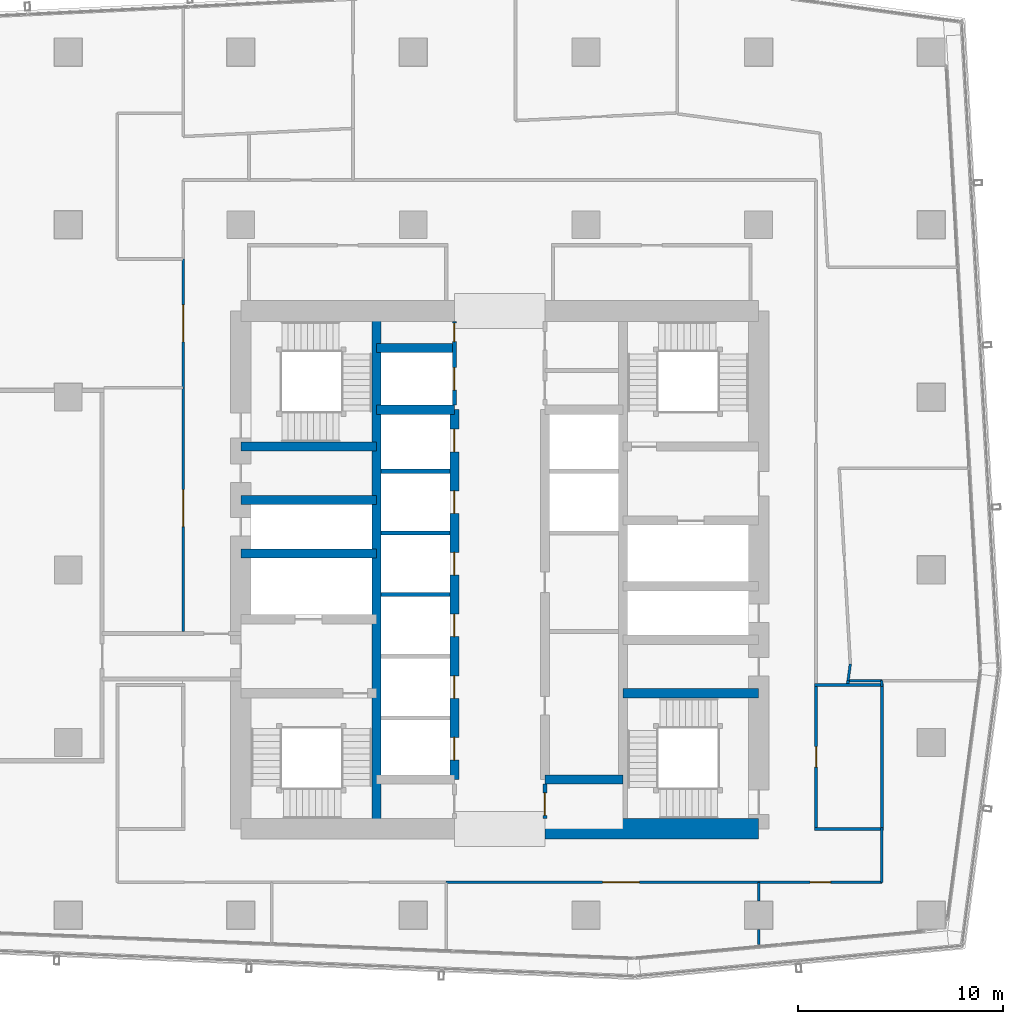
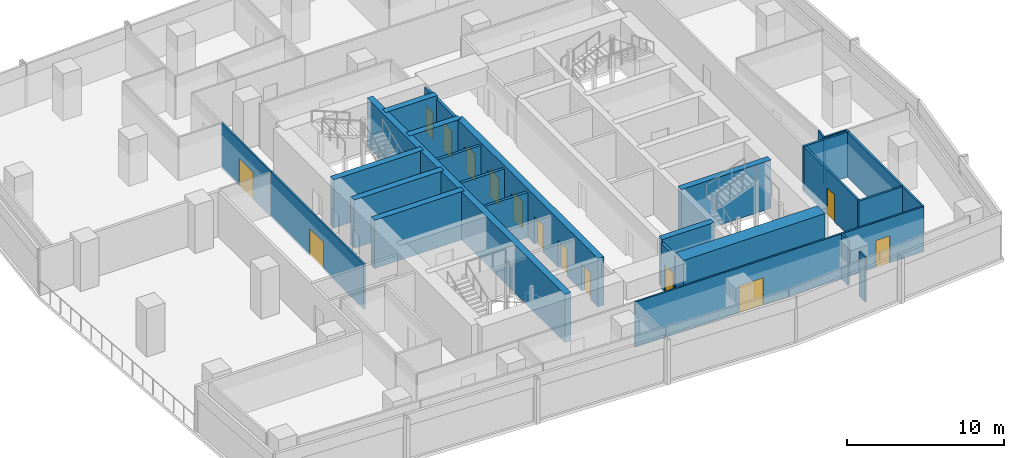
# One storey, part 27 of 39: 30 walls, 14 doors, 14 openings.
"""IFC4 building model written with IfcOpenShell, lengths in metres."""

from ifc_helpers import new_model, si_unit, direction, frame, frame_2d, origin, place, context, subcontext, project, spatial, rectangle, extrude, material, layer, layer_set, type_object, element, fill, save


model = new_model("IFC4")

# Units and contexts
model_context = context("Model", 3, precision=1e-05, world=origin(), true_north=direction((0.0, 1.0)))
body_context = subcontext(model_context, "Body", "Model", "MODEL_VIEW")
ifc_project = project(units=[si_unit("LENGTHUNIT", "METRE"), si_unit("AREAUNIT", "SQUARE_METRE"), si_unit("VOLUMEUNIT", "CUBIC_METRE"), si_unit("PLANEANGLEUNIT", "RADIAN"), si_unit("MASSUNIT", "GRAM", prefix="KILO")], contexts=[model_context])

# Site, building, storey
site_placement = place(None, origin())
site = spatial("IfcSite", under=ifc_project, at=site_placement, CompositionType="ELEMENT")
building_placement = place(site_placement, origin())
building = spatial("IfcBuilding", under=site, at=building_placement, Name="Rekha Terrace Tower", CompositionType="ELEMENT")
storey_placement = place(building_placement, frame((0.0, 0.0, 221.449951171875)))
storey = spatial("IfcBuildingStorey", under=building, at=storey_placement, Name="L56", CompositionType="ELEMENT", Elevation=221.449951171875)

# Wall
ifc_material_1 = material(Name="Concrete M60", Category="concrete")
ifc_layer_1 = layer(ifc_material_1, 0.449951171875)
ifc_layer_set_1 = layer_set([ifc_layer_1], Name="Concrete M60")
wall_type_1 = type_object("IfcWallType", Name="CI3 450 core internal shear wall", PredefinedType="SHEAR", material=ifc_layer_set_1)
wall_1_placement = place(storey_placement, frame((31.800048828125, 21.0, 0.0), z_axis=(0.0, 0.0, 1.0), x_axis=(0.0, 1.0, 0.0)))
element("IfcWall", 1, at=wall_1_placement, inside=storey, type_object=wall_type_1, Name="Core wall X318 L56", PredefinedType="SHEAR", context=body_context, shape_type="SweptSolid", body=[
    extrude(rectangle(XDim=25.199951171875, YDim=0.449951171875, at=frame_2d((12.60009765625, 0.0))), origin(), (0.0, 0.0, 1.0), 3.75),
])

# Wall, openings, doors
wall_2_placement = place(storey_placement, frame((35.60009765625, 23.39990234375, 0.0), z_axis=(0.0, 0.0, 1.0), x_axis=(0.0, 1.0, 0.0)))
wall_2 = element("IfcWall", 2, at=wall_2_placement, inside=storey, type_object=wall_type_1, Name="Core wall X356 L56", PredefinedType="SHEAR", context=body_context, shape_type="SweptSolid", body=[
    extrude(rectangle(XDim=18.0, YDim=0.449951171875, at=frame_2d((9.0, 0.0))), origin(), (0.0, 0.0, 1.0), 3.75),
])
opening_1_placement = place(wall_2_placement, frame((0.949951171875, 0.0, 0.0)))
opening_1 = element("IfcOpeningElement", 3, at=opening_1_placement, cuts=wall_2, Name="Opening LD1", PredefinedType="OPENING", context=body_context, shape_type="SweptSolid", body=[
    extrude(rectangle(XDim=1.10009765625, YDim=2.10009765625, at=frame_2d((0.550048828125, 1.050048828125))), frame((0.0, 0.23486328125, 0.0), z_axis=(0.0, -1.0, 0.0), x_axis=(1.0, 0.0, 0.0)), (0.0, 0.0, 1.0), 0.469970703125),
])
opening_2_placement = place(wall_2_placement, frame((3.949951171875, 0.0, 0.0)))
opening_2 = element("IfcOpeningElement", 4, at=opening_2_placement, cuts=wall_2, Name="Opening LD1", PredefinedType="OPENING", context=body_context, shape_type="SweptSolid", body=[
    extrude(rectangle(XDim=1.10009765625, YDim=2.10009765625, at=frame_2d((0.550048828125, 1.050048828125))), frame((0.0, 0.23486328125, 0.0), z_axis=(0.0, -1.0, 0.0), x_axis=(1.0, 0.0, 0.0)), (0.0, 0.0, 1.0), 0.469970703125),
])
opening_3_placement = place(wall_2_placement, frame((6.949951171875, 0.0, 0.0)))
opening_3 = element("IfcOpeningElement", 5, at=opening_3_placement, cuts=wall_2, Name="Opening LD1", PredefinedType="OPENING", context=body_context, shape_type="SweptSolid", body=[
    extrude(rectangle(XDim=1.10009765625, YDim=2.10009765625, at=frame_2d((0.550048828125, 1.050048828125))), frame((0.0, 0.23486328125, 0.0), z_axis=(0.0, -1.0, 0.0), x_axis=(1.0, 0.0, 0.0)), (0.0, 0.0, 1.0), 0.469970703125),
])
opening_4_placement = place(wall_2_placement, frame((9.949951171875, 0.0, 0.0)))
opening_4 = element("IfcOpeningElement", 6, at=opening_4_placement, cuts=wall_2, Name="Opening LD1", PredefinedType="OPENING", context=body_context, shape_type="SweptSolid", body=[
    extrude(rectangle(XDim=1.10009765625, YDim=2.10009765625, at=frame_2d((0.550048828125, 1.050048828125))), frame((0.0, 0.23486328125, 0.0), z_axis=(0.0, -1.0, 0.0), x_axis=(1.0, 0.0, 0.0)), (0.0, 0.0, 1.0), 0.469970703125),
])
opening_5_placement = place(wall_2_placement, frame((12.949951171875, 0.0, 0.0)))
opening_5 = element("IfcOpeningElement", 7, at=opening_5_placement, cuts=wall_2, Name="Opening LD1", PredefinedType="OPENING", context=body_context, shape_type="SweptSolid", body=[
    extrude(rectangle(XDim=1.10009765625, YDim=2.10009765625, at=frame_2d((0.550048828125, 1.050048828125))), frame((0.0, 0.23486328125, 0.0), z_axis=(0.0, -1.0, 0.0), x_axis=(1.0, 0.0, 0.0)), (0.0, 0.0, 1.0), 0.469970703125),
])
opening_6_placement = place(wall_2_placement, frame((15.949951171875, 0.0, 0.0)))
opening_6 = element("IfcOpeningElement", 8, at=opening_6_placement, cuts=wall_2, Name="Opening LD1", PredefinedType="OPENING", context=body_context, shape_type="SweptSolid", body=[
    extrude(rectangle(XDim=1.10009765625, YDim=2.10009765625, at=frame_2d((0.550048828125, 1.050048828125))), frame((0.0, 0.23486328125, 0.0), z_axis=(0.0, -1.0, 0.0), x_axis=(1.0, 0.0, 0.0)), (0.0, 0.0, 1.0), 0.469970703125),
])
ifc_material_2 = material(Name="Stainless steel sliding landing door", Category="steel")
door_type_1 = type_object("IfcDoorType", Name="LD1 1100x2100 lift landing door", OperationType="SLIDING_TO_LEFT", PredefinedType="USERDEFINED", material=ifc_material_2)
door_1_placement = place(opening_1_placement, origin())
door_1 = element("IfcDoor", 9, at=door_1_placement, inside=storey, type_object=door_type_1, Name="Lift C1 landing door L56", ObjectType="LIFT LANDING DOOR", OperationType="SLIDING_TO_LEFT", OverallHeight=2.10009765625, OverallWidth=1.10009765625, PredefinedType="USERDEFINED", context=body_context, shape_type="SweptSolid", body=[
    extrude(rectangle(XDim=1.10009765625, YDim=2.10009765625, at=frame_2d((0.550048828125, 1.050048828125))), frame((0.0, 0.02490234375, 0.0), z_axis=(0.0, -1.0, 0.0), x_axis=(1.0, 0.0, 0.0)), (0.0, 0.0, 1.0), 0.050048828125),
])
fill(opening_1, door_1)
door_2_placement = place(opening_2_placement, origin())
door_2 = element("IfcDoor", 10, at=door_2_placement, inside=storey, type_object=door_type_1, Name="Lift C2 landing door L56", ObjectType="LIFT LANDING DOOR", OperationType="SLIDING_TO_LEFT", OverallHeight=2.10009765625, OverallWidth=1.10009765625, PredefinedType="USERDEFINED", context=body_context, shape_type="SweptSolid", body=[
    extrude(rectangle(XDim=1.10009765625, YDim=2.10009765625, at=frame_2d((0.550048828125, 1.050048828125))), frame((0.0, 0.02490234375, 0.0), z_axis=(0.0, -1.0, 0.0), x_axis=(1.0, 0.0, 0.0)), (0.0, 0.0, 1.0), 0.050048828125),
])
fill(opening_2, door_2)
door_3_placement = place(opening_3_placement, origin())
door_3 = element("IfcDoor", 11, at=door_3_placement, inside=storey, type_object=door_type_1, Name="Lift C3 landing door L56", ObjectType="LIFT LANDING DOOR", OperationType="SLIDING_TO_LEFT", OverallHeight=2.10009765625, OverallWidth=1.10009765625, PredefinedType="USERDEFINED", context=body_context, shape_type="SweptSolid", body=[
    extrude(rectangle(XDim=1.10009765625, YDim=2.10009765625, at=frame_2d((0.550048828125, 1.050048828125))), frame((0.0, 0.02490234375, 0.0), z_axis=(0.0, -1.0, 0.0), x_axis=(1.0, 0.0, 0.0)), (0.0, 0.0, 1.0), 0.050048828125),
])
fill(opening_3, door_3)
door_4_placement = place(opening_4_placement, origin())
door_4 = element("IfcDoor", 12, at=door_4_placement, inside=storey, type_object=door_type_1, Name="Lift C4 landing door L56", ObjectType="LIFT LANDING DOOR", OperationType="SLIDING_TO_LEFT", OverallHeight=2.10009765625, OverallWidth=1.10009765625, PredefinedType="USERDEFINED", context=body_context, shape_type="SweptSolid", body=[
    extrude(rectangle(XDim=1.10009765625, YDim=2.10009765625, at=frame_2d((0.550048828125, 1.050048828125))), frame((0.0, 0.02490234375, 0.0), z_axis=(0.0, -1.0, 0.0), x_axis=(1.0, 0.0, 0.0)), (0.0, 0.0, 1.0), 0.050048828125),
])
fill(opening_4, door_4)
door_5_placement = place(opening_5_placement, origin())
door_5 = element("IfcDoor", 13, at=door_5_placement, inside=storey, type_object=door_type_1, Name="Lift C5 landing door L56", ObjectType="LIFT LANDING DOOR", OperationType="SLIDING_TO_LEFT", OverallHeight=2.10009765625, OverallWidth=1.10009765625, PredefinedType="USERDEFINED", context=body_context, shape_type="SweptSolid", body=[
    extrude(rectangle(XDim=1.10009765625, YDim=2.10009765625, at=frame_2d((0.550048828125, 1.050048828125))), frame((0.0, 0.02490234375, 0.0), z_axis=(0.0, -1.0, 0.0), x_axis=(1.0, 0.0, 0.0)), (0.0, 0.0, 1.0), 0.050048828125),
])
fill(opening_5, door_5)
door_6_placement = place(opening_6_placement, origin())
door_6 = element("IfcDoor", 14, at=door_6_placement, inside=storey, type_object=door_type_1, Name="Lift C6 landing door L56", ObjectType="LIFT LANDING DOOR", OperationType="SLIDING_TO_LEFT", OverallHeight=2.10009765625, OverallWidth=1.10009765625, PredefinedType="USERDEFINED", context=body_context, shape_type="SweptSolid", body=[
    extrude(rectangle(XDim=1.10009765625, YDim=2.10009765625, at=frame_2d((0.550048828125, 1.050048828125))), frame((0.0, 0.02490234375, 0.0), z_axis=(0.0, -1.0, 0.0), x_axis=(1.0, 0.0, 0.0)), (0.0, 0.0, 1.0), 0.050048828125),
])
fill(opening_6, door_6)

# Walls
for number, where, z_axis, x_axis, name in (
    (15, (31.800048828125, 41.39990234375, 0.0), (0.0, 0.0, 1.0), (1.0, 0.0, 0.0), "Core wall Y414W L56"),
    (16, (31.800048828125, 44.39990234375, 0.0), (0.0, 0.0, 1.0), (1.0, 0.0, 0.0), "Core wall Y444W L56"),
    (17, (40.0, 23.39990234375, 0.0), (0.0, 0.0, 1.0), (1.0, 0.0, 0.0), "Core wall Y234E L56"),
):
    element("IfcWall", number, at=place(storey_placement, frame(where, z_axis=z_axis, x_axis=x_axis)), inside=storey, type_object=wall_type_1, Name=name, PredefinedType="SHEAR", context=body_context, shape_type="SweptSolid", body=[
        extrude(rectangle(XDim=3.800048828125, YDim=0.449951171875, at=frame_2d((1.89990234375, 0.0))), origin(), (0.0, 0.0, 1.0), 3.75),
    ])
for number, where, z_axis, x_axis, name in (
    (18, (25.199951171875, 34.39990234375, 0.0), (0.0, 0.0, 1.0), (1.0, 0.0, 0.0), "Core wall Y344W L56"),
    (19, (25.199951171875, 37.0, 0.0), (0.0, 0.0, 1.0), (1.0, 0.0, 0.0), "Core wall Y370W L56"),
    (20, (25.199951171875, 39.60009765625, 0.0), (0.0, 0.0, 1.0), (1.0, 0.0, 0.0), "Core wall Y396W L56"),
):
    element("IfcWall", number, at=place(storey_placement, frame(where, z_axis=z_axis, x_axis=x_axis)), inside=storey, type_object=wall_type_1, Name=name, PredefinedType="SHEAR", context=body_context, shape_type="SweptSolid", body=[
        extrude(rectangle(XDim=6.60009765625, YDim=0.449951171875, at=frame_2d((3.300048828125, 0.0))), origin(), (0.0, 0.0, 1.0), 3.75),
    ])
wall_3_placement = place(storey_placement, frame((43.800048828125, 27.60009765625, 0.0), z_axis=(0.0, 0.0, 1.0), x_axis=(1.0, 0.0, 0.0)))
element("IfcWall", 21, at=wall_3_placement, inside=storey, type_object=wall_type_1, Name="Core wall Y276E L56", PredefinedType="SHEAR", context=body_context, shape_type="SweptSolid", body=[
    extrude(rectangle(XDim=6.599853515625, YDim=0.449951171875, at=frame_2d((3.2998046875, 0.0))), origin(), (0.0, 0.0, 1.0), 3.75),
])
ifc_layer_2 = layer(ifc_material_1, 1.0)
ifc_layer_set_2 = layer_set([ifc_layer_2], Name="Concrete M60")
wall_type_2 = type_object("IfcWallType", Name="SW3 1000 core outer shear wall", PredefinedType="SHEAR", material=ifc_layer_set_2)
wall_4_placement = place(storey_placement, frame((40.0, 21.0, 0.0), z_axis=(0.0, 0.0, 1.0), x_axis=(1.0, 0.0, 0.0)))
element("IfcWall", 22, at=wall_4_placement, inside=storey, type_object=wall_type_2, Name="Core wall S2 L56", PredefinedType="SHEAR", context=body_context, shape_type="SweptSolid", body=[
    extrude(rectangle(XDim=10.39990234375, YDim=1.0, at=frame_2d((5.199951171875, 0.0))), origin(), (0.0, 0.0, 1.0), 3.75),
])
ifc_material_3 = material(Name="Concrete block masonry, 1 hour", Category="masonry")
ifc_layer_3 = layer(ifc_material_3, 0.14990234375)
ifc_layer_set_3 = layer_set([ifc_layer_3], Name="Concrete block masonry, 1 hour")
wall_type_3 = type_object("IfcWallType", Name="WP2 150 tenancy partition", PredefinedType="PARTITIONING", material=ifc_layer_set_3)
for number, where, z_axis, x_axis, name in (
    (23, (53.125, 21.0, 0.0), (0.0, 0.0, 1.0), (1.0, 0.0, 0.0), "Men's WC wall L56"),
    (24, (53.125, 28.0, 0.0), (0.0, 0.0, 1.0), (1.0, 0.0, 0.0), "Men's WC wall L56"),
):
    element("IfcWall", number, at=place(storey_placement, frame(where, z_axis=z_axis, x_axis=x_axis)), inside=storey, type_object=wall_type_3, Name=name, PredefinedType="PARTITIONING", context=body_context, shape_type="SweptSolid", body=[
        extrude(rectangle(XDim=3.35009765625, YDim=0.14990234375, at=frame_2d((1.675048828125, 0.0))), origin(), (0.0, 0.0, 1.0), 3.5),
    ])

# Wall, opening, door
wall_5_placement = place(storey_placement, frame((53.199951171875, 21.074951171875, 0.0), z_axis=(0.0, 0.0, 1.0), x_axis=(0.0, 1.0, 0.0)))
wall_5 = element("IfcWall", 25, at=wall_5_placement, inside=storey, type_object=wall_type_3, Name="Men's WC wall L56", PredefinedType="PARTITIONING", context=body_context, shape_type="SweptSolid", body=[
    extrude(rectangle(XDim=6.85009765625, YDim=0.14990234375, at=frame_2d((3.425048828125, 0.0))), origin(), (0.0, 0.0, 1.0), 3.5),
])
opening_7_placement = place(wall_5_placement, frame((2.925048828125, 0.0, 0.0)))
opening_7 = element("IfcOpeningElement", 26, at=opening_7_placement, cuts=wall_5, Name="Opening D3", PredefinedType="OPENING", context=body_context, shape_type="SweptSolid", body=[
    extrude(rectangle(XDim=1.0, YDim=2.10009765625, at=frame_2d((0.5, 1.050048828125))), frame((0.0, 0.0849609375, 0.0), z_axis=(0.0, -1.0, 0.0), x_axis=(1.0, 0.0, 0.0)), (0.0, 0.0, 1.0), 0.169921875),
])
ifc_material_4 = material(Name="Laminated timber fire door", Category="wood")
door_type_2 = type_object("IfcDoorType", Name="D3 1000x2100 WC door", OperationType="SINGLE_SWING_LEFT", PredefinedType="DOOR", material=ifc_material_4)
door_7_placement = place(opening_7_placement, origin())
door_7 = element("IfcDoor", 27, at=door_7_placement, inside=storey, type_object=door_type_2, Name="Door men's wc L56", OperationType="SINGLE_SWING_LEFT", OverallHeight=2.10009765625, OverallWidth=1.0, PredefinedType="DOOR", context=body_context, shape_type="SweptSolid", body=[
    extrude(rectangle(XDim=1.0, YDim=2.10009765625, at=frame_2d((0.5, 1.050048828125))), frame((0.0, 0.02490234375, 0.0), z_axis=(0.0, -1.0, 0.0), x_axis=(1.0, 0.0, 0.0)), (0.0, 0.0, 1.0), 0.050048828125),
])
fill(opening_7, door_7)

# Walls
wall_6_placement = place(storey_placement, frame((56.39990234375, 21.074951171875, 0.0), z_axis=(0.0, 0.0, 1.0), x_axis=(0.0, 1.0, 0.0)))
element("IfcWall", 28, at=wall_6_placement, inside=storey, type_object=wall_type_3, Name="Men's WC wall L56", PredefinedType="PARTITIONING", context=body_context, shape_type="SweptSolid", body=[
    extrude(rectangle(XDim=6.85009765625, YDim=0.14990234375, at=frame_2d((3.425048828125, 0.0))), origin(), (0.0, 0.0, 1.0), 3.5),
])
wall_7_placement = place(storey_placement, frame((54.7548828125, 28.2080078125, 0.0), z_axis=(0.0, 0.0, 1.0), x_axis=(-0.125602865169, -0.992080601696, 0.0)))
element("IfcWall", 29, at=wall_7_placement, inside=storey, type_object=wall_type_3, Name="Partition L56-O1", PredefinedType="PARTITIONING", context=body_context, shape_type="SweptSolid", body=[
    extrude(rectangle(XDim=0.134033203125, YDim=0.14990234375, at=frame_2d((0.06689453125, 0.0))), origin(), (0.0, 0.0, 1.0), 3.5),
])

# Wall, opening, door
ifc_material_5 = material(Name="Two layers of fire-rated gypsum board each side on steel studs, acoustic quilt, 1 hour", Category="steel")
ifc_layer_4 = layer(ifc_material_5, 0.125)
ifc_layer_set_4 = layer_set([ifc_layer_4], Name="Two layers of fire-rated gypsum board each side on steel studs, acoustic quilt, 1 hour")
wall_type_4 = type_object("IfcWallType", Name="WP3 125 office partition", PredefinedType="PARTITIONING", material=ifc_layer_set_4)
wall_8_placement = place(storey_placement, frame((35.198974609375, 18.39990234375, 0.0), z_axis=(0.0, 0.0, 1.0), x_axis=(1.0, 0.0, 0.0)))
wall_8 = element("IfcWall", 30, at=wall_8_placement, inside=storey, type_object=wall_type_4, Name="Partition L56-02", PredefinedType="PARTITIONING", context=body_context, shape_type="SweptSolid", body=[
    extrude(rectangle(XDim=15.2099609375, YDim=0.125, at=frame_2d((7.60498046875, 0.0))), origin(), (0.0, 0.0, 1.0), 3.5),
])
opening_8_placement = place(wall_8_placement, frame((7.60498046875, 0.0, 0.0)))
opening_8 = element("IfcOpeningElement", 31, at=opening_8_placement, cuts=wall_8, Name="Opening D8", PredefinedType="OPENING", context=body_context, shape_type="SweptSolid", body=[
    extrude(rectangle(XDim=1.800048828125, YDim=2.10009765625, at=frame_2d((0.89990234375, 1.050048828125))), frame((0.0, 0.072509765625, 0.0), z_axis=(0.0, -1.0, 0.0), x_axis=(1.0, 0.0, 0.0)), (0.0, 0.0, 1.0), 0.14501953125),
])
ifc_material_6 = material(Name="Timber fire door", Category="wood")
door_type_3 = type_object("IfcDoorType", Name="D8 1800x2100 double leaf door", OperationType="DOUBLE_DOOR_SINGLE_SWING", PredefinedType="DOOR", material=ifc_material_6)
door_8_placement = place(opening_8_placement, origin())
door_8 = element("IfcDoor", 32, at=door_8_placement, inside=storey, type_object=door_type_3, Name="Door meeting room L56", OperationType="DOUBLE_DOOR_SINGLE_SWING", OverallHeight=2.10009765625, OverallWidth=1.800048828125, PredefinedType="DOOR", context=body_context, shape_type="SweptSolid", body=[
    extrude(rectangle(XDim=1.800048828125, YDim=2.10009765625, at=frame_2d((0.89990234375, 1.050048828125))), frame((0.0, 0.02490234375, 0.0), z_axis=(0.0, -1.0, 0.0), x_axis=(1.0, 0.0, 0.0)), (0.0, 0.0, 1.0), 0.050048828125),
])
fill(opening_8, door_8)

# Walls
wall_9_placement = place(storey_placement, frame((50.408935546875, 18.39990234375, 0.0), z_axis=(0.0, 0.0, 1.0), x_axis=(0.0, -1.0, 0.0)))
element("IfcWall", 33, at=wall_9_placement, inside=storey, type_object=wall_type_4, Name="Partition L56-02", PredefinedType="PARTITIONING", context=body_context, shape_type="SweptSolid", body=[
    extrude(rectangle(XDim=0.90478515625, YDim=0.125, at=frame_2d((0.452392578125, 0.0))), origin(), (0.0, 0.0, 1.0), 3.5),
])
wall_10_placement = place(storey_placement, frame((50.408935546875, 16.10498046875, 0.0), z_axis=(0.0, 0.0, 1.0), x_axis=(0.0, -1.0, 0.0)))
element("IfcWall", 34, at=wall_10_placement, inside=storey, type_object=wall_type_4, Name="Partition L56-02", PredefinedType="PARTITIONING", context=body_context, shape_type="SweptSolid", body=[
    extrude(rectangle(XDim=0.744873046875, YDim=0.125, at=frame_2d((0.37255859375, 0.0))), origin(), (0.0, 0.0, 1.0), 3.5),
])

# Wall, opening, door
wall_11_placement = place(storey_placement, frame((50.408935546875, 18.39990234375, 0.0), z_axis=(0.0, 0.0, 1.0), x_axis=(1.0, 0.0, 0.0)))
wall_11 = element("IfcWall", 35, at=wall_11_placement, inside=storey, type_object=wall_type_4, Name="Partition L56-03", PredefinedType="PARTITIONING", context=body_context, shape_type="SweptSolid", body=[
    extrude(rectangle(XDim=5.990966796875, YDim=0.125, at=frame_2d((2.99560546875, 0.0))), origin(), (0.0, 0.0, 1.0), 3.5),
])
opening_9_placement = place(wall_11_placement, frame((2.4951171875, 0.0, 0.0)))
opening_9 = element("IfcOpeningElement", 36, at=opening_9_placement, cuts=wall_11, Name="Opening D9", PredefinedType="OPENING", context=body_context, shape_type="SweptSolid", body=[
    extrude(rectangle(XDim=1.0, YDim=2.10009765625, at=frame_2d((0.5, 1.050048828125))), frame((0.0, 0.072509765625, 0.0), z_axis=(0.0, -1.0, 0.0), x_axis=(1.0, 0.0, 0.0)), (0.0, 0.0, 1.0), 0.14501953125),
])
door_type_4 = type_object("IfcDoorType", Name="D9 1000x2100 office door", OperationType="SINGLE_SWING_LEFT", PredefinedType="DOOR", material=ifc_material_6)
door_9_placement = place(opening_9_placement, origin())
door_9 = element("IfcDoor", 37, at=door_9_placement, inside=storey, type_object=door_type_4, Name="Door director's office L56", OperationType="SINGLE_SWING_LEFT", OverallHeight=2.10009765625, OverallWidth=1.0, PredefinedType="DOOR", context=body_context, shape_type="SweptSolid", body=[
    extrude(rectangle(XDim=1.0, YDim=2.10009765625, at=frame_2d((0.5, 1.050048828125))), frame((0.0, 0.02490234375, 0.0), z_axis=(0.0, -1.0, 0.0), x_axis=(1.0, 0.0, 0.0)), (0.0, 0.0, 1.0), 0.050048828125),
])
fill(opening_9, door_9)

# Walls
wall_12_placement = place(storey_placement, frame((56.39990234375, 18.39990234375, 0.0), z_axis=(0.0, 0.0, 1.0), x_axis=(0.0, 1.0, 0.0)))
element("IfcWall", 38, at=wall_12_placement, inside=storey, type_object=wall_type_4, Name="Partition L56-03", PredefinedType="PARTITIONING", context=body_context, shape_type="SweptSolid", body=[
    extrude(rectangle(XDim=2.675048828125, YDim=0.125, at=frame_2d((1.33740234375, 0.0))), origin(), (0.0, 0.0, 1.0), 3.5),
])
wall_13_placement = place(storey_placement, frame((56.39990234375, 27.925048828125, 0.0), z_axis=(0.0, 0.0, 1.0), x_axis=(0.0, 1.0, 0.0)))
element("IfcWall", 39, at=wall_13_placement, inside=storey, type_object=wall_type_4, Name="Partition L56-03", PredefinedType="PARTITIONING", context=body_context, shape_type="SweptSolid", body=[
    extrude(rectangle(XDim=0.282958984375, YDim=0.125, at=frame_2d((0.1416015625, 0.0))), origin(), (0.0, 0.0, 1.0), 3.5),
])
wall_14_placement = place(storey_placement, frame((56.39990234375, 28.208984375, 0.0), z_axis=(0.0, 0.0, 1.0), x_axis=(-1.0, 0.0, 0.0)))
element("IfcWall", 40, at=wall_14_placement, inside=storey, type_object=wall_type_4, Name="Partition L56-04", PredefinedType="PARTITIONING", context=body_context, shape_type="SweptSolid", body=[
    extrude(rectangle(XDim=1.64501953125, YDim=0.125, at=frame_2d((0.822509765625, 0.0))), origin(), (0.0, 0.0, 1.0), 3.5),
])
wall_15_placement = place(storey_placement, frame((54.7548828125, 28.208984375, 0.0), z_axis=(0.0, 0.0, 1.0), x_axis=(0.131477079609, 0.991319210717, 0.0)))
element("IfcWall", 41, at=wall_15_placement, inside=storey, type_object=wall_type_4, Name="Partition L56-04", PredefinedType="PARTITIONING", context=body_context, shape_type="SweptSolid", body=[
    extrude(rectangle(XDim=0.815185546875, YDim=0.125, at=frame_2d((0.40771484375, 0.0))), origin(), (0.0, 0.0, 1.0), 3.5),
])

# Wall, opening, door
wall_16_placement = place(storey_placement, frame((22.39990234375, 48.72900390625, 0.0), z_axis=(0.0, 0.0, 1.0), x_axis=(0.0, -1.0, 0.0)))
wall_16 = element("IfcWall", 42, at=wall_16_placement, inside=storey, type_object=wall_type_4, Name="Partition L56-09", PredefinedType="PARTITIONING", context=body_context, shape_type="SweptSolid", body=[
    extrude(rectangle(XDim=6.26904296875, YDim=0.125, at=frame_2d((3.134521484375, 0.0))), origin(), (0.0, 0.0, 1.0), 3.5),
])
opening_10_placement = place(wall_16_placement, frame((2.235107421875, 0.0, 0.0)))
opening_10 = element("IfcOpeningElement", 43, at=opening_10_placement, cuts=wall_16, Name="Opening D8", PredefinedType="OPENING", context=body_context, shape_type="SweptSolid", body=[
    extrude(rectangle(XDim=1.800048828125, YDim=2.10009765625, at=frame_2d((0.89990234375, 1.050048828125))), frame((0.0, 0.072509765625, 0.0), z_axis=(0.0, -1.0, 0.0), x_axis=(1.0, 0.0, 0.0)), (0.0, 0.0, 1.0), 0.14501953125),
])
door_10_placement = place(opening_10_placement, origin())
door_10 = element("IfcDoor", 44, at=door_10_placement, inside=storey, type_object=door_type_3, Name="Door print room L56", OperationType="DOUBLE_DOOR_SINGLE_SWING", OverallHeight=2.10009765625, OverallWidth=1.800048828125, PredefinedType="DOOR", context=body_context, shape_type="SweptSolid", body=[
    extrude(rectangle(XDim=1.800048828125, YDim=2.10009765625, at=frame_2d((0.89990234375, 1.050048828125))), frame((0.0, 0.02490234375, 0.0), z_axis=(0.0, -1.0, 0.0), x_axis=(1.0, 0.0, 0.0)), (0.0, 0.0, 1.0), 0.050048828125),
])
fill(opening_10, door_10)

wall_17_placement = place(storey_placement, frame((22.39990234375, 42.4599609375, 0.0), z_axis=(0.0, 0.0, 1.0), x_axis=(0.0, -1.0, 0.0)))
wall_17 = element("IfcWall", 45, at=wall_17_placement, inside=storey, type_object=wall_type_4, Name="Partition L56-14", PredefinedType="PARTITIONING", context=body_context, shape_type="SweptSolid", body=[
    extrude(rectangle(XDim=11.848876953125, YDim=0.125, at=frame_2d((5.92431640625, 0.0))), origin(), (0.0, 0.0, 1.0), 3.5),
])
opening_11_placement = place(wall_17_placement, frame((4.955078125, 0.0, 0.0)))
opening_11 = element("IfcOpeningElement", 46, at=opening_11_placement, cuts=wall_17, Name="Opening D8", PredefinedType="OPENING", context=body_context, shape_type="SweptSolid", body=[
    extrude(rectangle(XDim=1.800048828125, YDim=2.10009765625, at=frame_2d((0.89990234375, 1.050048828125))), frame((0.0, 0.072509765625, 0.0), z_axis=(0.0, -1.0, 0.0), x_axis=(1.0, 0.0, 0.0)), (0.0, 0.0, 1.0), 0.14501953125),
])
door_11_placement = place(opening_11_placement, origin())
door_11 = element("IfcDoor", 47, at=door_11_placement, inside=storey, type_object=door_type_3, Name="Door board meeting room L56", OperationType="DOUBLE_DOOR_SINGLE_SWING", OverallHeight=2.10009765625, OverallWidth=1.800048828125, PredefinedType="DOOR", context=body_context, shape_type="SweptSolid", body=[
    extrude(rectangle(XDim=1.800048828125, YDim=2.10009765625, at=frame_2d((0.89990234375, 1.050048828125))), frame((0.0, 0.02490234375, 0.0), z_axis=(0.0, -1.0, 0.0), x_axis=(1.0, 0.0, 0.0)), (0.0, 0.0, 1.0), 0.050048828125),
])
fill(opening_11, door_11)

# Walls
ifc_material_7 = material(Name="Solid concrete block masonry, 2 hour", Category="masonry")
ifc_layer_5 = layer(ifc_material_7, 0.199951171875)
ifc_layer_set_5 = layer_set([ifc_layer_5], Name="Solid concrete block masonry, 2 hour")
wall_type_5 = type_object("IfcWallType", Name="WS1 200 stair and shaft enclosure", PredefinedType="PARTITIONING", material=ifc_layer_set_5)
for number, where, z_axis, x_axis, name in (
    (48, (32.02490234375, 32.39990234375, 0.0), (0.0, 0.0, 1.0), (1.0, 0.0, 0.0), "Lift shaft divider L56"),
    (49, (32.02490234375, 35.39990234375, 0.0), (0.0, 0.0, 1.0), (1.0, 0.0, 0.0), "Lift shaft divider L56"),
    (50, (32.02490234375, 38.39990234375, 0.0), (0.0, 0.0, 1.0), (1.0, 0.0, 0.0), "Lift shaft divider L56"),
):
    element("IfcWall", number, at=place(storey_placement, frame(where, z_axis=z_axis, x_axis=x_axis)), inside=storey, type_object=wall_type_5, Name=name, PredefinedType="PARTITIONING", context=body_context, shape_type="SweptSolid", body=[
        extrude(rectangle(XDim=3.35009765625, YDim=0.199951171875, at=frame_2d((1.675048828125, 0.0))), origin(), (0.0, 0.0, 1.0), 3.5),
    ])

# Wall, opening, door
wall_18_placement = place(storey_placement, frame((40.0, 21.5, 0.0), z_axis=(0.0, 0.0, 1.0), x_axis=(0.0, 1.0, 0.0)))
wall_18 = element("IfcWall", 51, at=wall_18_placement, inside=storey, type_object=wall_type_5, Name="Core partition wca L56", PredefinedType="PARTITIONING", context=body_context, shape_type="SweptSolid", body=[
    extrude(rectangle(XDim=1.675048828125, YDim=0.199951171875, at=frame_2d((0.83740234375, 0.0))), origin(), (0.0, 0.0, 1.0), 3.5),
])
opening_12_placement = place(wall_18_placement, frame((0.14990234375, 0.0, 0.0)))
opening_12 = element("IfcOpeningElement", 52, at=opening_12_placement, cuts=wall_18, Name="Opening D4", PredefinedType="OPENING", context=body_context, shape_type="SweptSolid", body=[
    extrude(rectangle(XDim=1.10009765625, YDim=2.10009765625, at=frame_2d((0.550048828125, 1.050048828125))), frame((0.0, 0.10986328125, 0.0), z_axis=(0.0, -1.0, 0.0), x_axis=(1.0, 0.0, 0.0)), (0.0, 0.0, 1.0), 0.219970703125),
])
door_type_5 = type_object("IfcDoorType", Name="D4 1100x2100 accessible WC door", OperationType="SLIDING_TO_LEFT", PredefinedType="DOOR", material=ifc_material_4)
door_12_placement = place(opening_12_placement, origin())
door_12 = element("IfcDoor", 53, at=door_12_placement, inside=storey, type_object=door_type_5, Name="Door wca L56", OperationType="SLIDING_TO_LEFT", OverallHeight=2.10009765625, OverallWidth=1.10009765625, PredefinedType="DOOR", context=body_context, shape_type="SweptSolid", body=[
    extrude(rectangle(XDim=1.10009765625, YDim=2.10009765625, at=frame_2d((0.550048828125, 1.050048828125))), frame((0.0, 0.02490234375, 0.0), z_axis=(0.0, -1.0, 0.0), x_axis=(1.0, 0.0, 0.0)), (0.0, 0.0, 1.0), 0.050048828125),
])
fill(opening_12, door_12)

# Wall, openings, doors
wall_19_placement = place(storey_placement, frame((35.60009765625, 41.625, 0.0), z_axis=(0.0, 0.0, 1.0), x_axis=(0.0, 1.0, 0.0)))
wall_19 = element("IfcWall", 54, at=wall_19_placement, inside=storey, type_object=wall_type_5, Name="Core partition jansv L56", PredefinedType="PARTITIONING", context=body_context, shape_type="SweptSolid", body=[
    extrude(rectangle(XDim=4.074951171875, YDim=0.199951171875, at=frame_2d((2.03759765625, 0.0))), origin(), (0.0, 0.0, 1.0), 3.5),
])
opening_13_placement = place(wall_19_placement, frame((3.087890625, 0.0, 0.0)))
opening_13 = element("IfcOpeningElement", 55, at=opening_13_placement, cuts=wall_19, Name="Opening D5", PredefinedType="OPENING", context=body_context, shape_type="SweptSolid", body=[
    extrude(rectangle(XDim=0.89990234375, YDim=2.10009765625, at=frame_2d((0.449951171875, 1.050048828125))), frame((0.0, 0.10986328125, 0.0), z_axis=(0.0, -1.0, 0.0), x_axis=(1.0, 0.0, 0.0)), (0.0, 0.0, 1.0), 0.219970703125),
])
opening_14_placement = place(wall_19_placement, frame((0.72509765625, 0.0, 0.0)))
opening_14 = element("IfcOpeningElement", 56, at=opening_14_placement, cuts=wall_19, Name="Opening LD1", PredefinedType="OPENING", context=body_context, shape_type="SweptSolid", body=[
    extrude(rectangle(XDim=1.10009765625, YDim=2.10009765625, at=frame_2d((0.550048828125, 1.050048828125))), frame((0.0, 0.10986328125, 0.0), z_axis=(0.0, -1.0, 0.0), x_axis=(1.0, 0.0, 0.0)), (0.0, 0.0, 1.0), 0.219970703125),
])
ifc_material_8 = material(Name="Steel fire door", Category="steel")
door_type_6 = type_object("IfcDoorType", Name="D5 900x2100 riser access door", OperationType="SINGLE_SWING_LEFT", PredefinedType="DOOR", material=ifc_material_8)
door_13_placement = place(opening_13_placement, origin())
door_13 = element("IfcDoor", 57, at=door_13_placement, inside=storey, type_object=door_type_6, Name="Door janitor room L56", OperationType="SINGLE_SWING_LEFT", OverallHeight=2.10009765625, OverallWidth=0.89990234375, PredefinedType="DOOR", context=body_context, shape_type="SweptSolid", body=[
    extrude(rectangle(XDim=0.89990234375, YDim=2.10009765625, at=frame_2d((0.449951171875, 1.050048828125))), frame((0.0, 0.02490234375, 0.0), z_axis=(0.0, -1.0, 0.0), x_axis=(1.0, 0.0, 0.0)), (0.0, 0.0, 1.0), 0.050048828125),
])
fill(opening_13, door_13)
door_14_placement = place(opening_14_placement, origin())
door_14 = element("IfcDoor", 58, at=door_14_placement, inside=storey, type_object=door_type_1, Name="Lift SV1 landing door L56", ObjectType="LIFT LANDING DOOR", OperationType="SLIDING_TO_LEFT", OverallHeight=2.10009765625, OverallWidth=1.10009765625, PredefinedType="USERDEFINED", context=body_context, shape_type="SweptSolid", body=[
    extrude(rectangle(XDim=1.10009765625, YDim=2.10009765625, at=frame_2d((0.550048828125, 1.050048828125))), frame((0.0, 0.02490234375, 0.0), z_axis=(0.0, -1.0, 0.0), x_axis=(1.0, 0.0, 0.0)), (0.0, 0.0, 1.0), 0.050048828125),
])
fill(opening_14, door_14)

save(model, "model.ifc")
